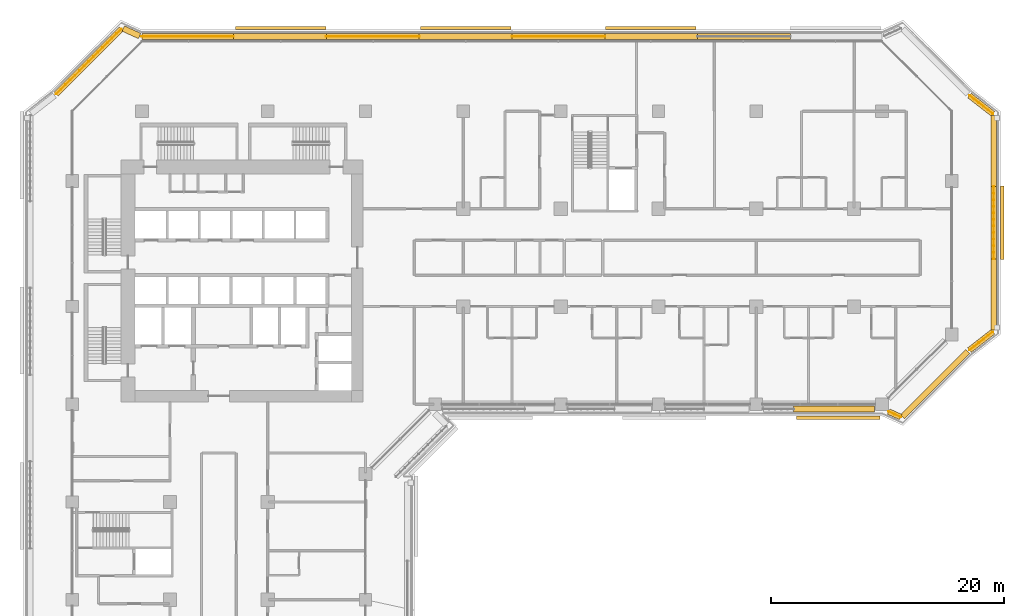
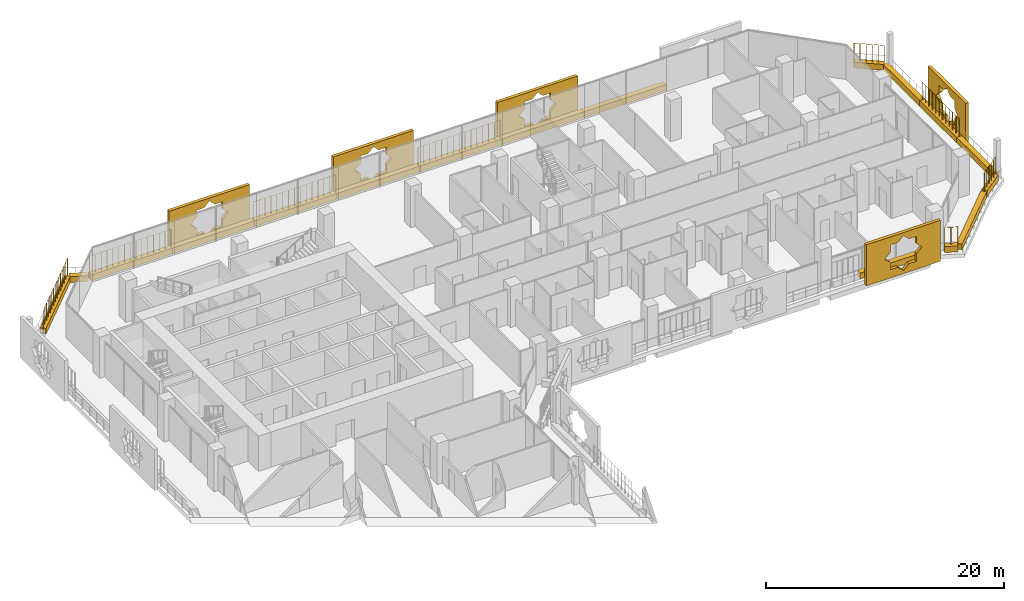
# One storey, part 24 of 25: 22 coverings, 8 railings.
"""IFC4 building model written with IfcOpenShell, lengths in metres."""

from ifc_helpers import new_model, si_unit, direction, frame, origin, origin_2d, place, context, subcontext, project, spatial, polyline, rectangle, circle, outline, extrude, material, material_profile, profile_set, type_object, element, save


model = new_model("IFC4")

# Units and contexts
model_context = context("Model", 3, precision=1e-05, world=origin(), true_north=direction((0.0, 1.0)))
body_context = subcontext(model_context, "Body", "Model", "MODEL_VIEW")
ifc_project = project(units=[si_unit("LENGTHUNIT", "METRE"), si_unit("AREAUNIT", "SQUARE_METRE"), si_unit("VOLUMEUNIT", "CUBIC_METRE"), si_unit("PLANEANGLEUNIT", "RADIAN"), si_unit("MASSUNIT", "GRAM", prefix="KILO")], contexts=[model_context])

# Site, building, storey
site_placement = place(None, origin())
site = spatial("IfcSite", under=ifc_project, at=site_placement, CompositionType="ELEMENT")
building_placement = place(site_placement, origin())
building = spatial("IfcBuilding", under=site, at=building_placement, Name="Kawkab Arch Medical Tower", CompositionType="ELEMENT")
storey_placement = place(building_placement, frame((0.0, 0.0, 140.800048828125)))
storey = spatial("IfcBuildingStorey", under=building, at=storey_placement, Name="L32", CompositionType="ELEMENT", Elevation=140.800048828125)

# Coverings
ifc_material_1 = material(Name="Bronze anodised aluminium mashrabiya panel, eight-point star pattern", Category="aluminium")
ifc_material_profile_1 = material_profile(ifc_material_1, outline(polyline([(-3.14990234375, -2.10009765625), (3.14990234375, -2.10009765625), (3.14990234375, 2.10009765625), (-3.14990234375, 2.10009765625), (-3.14990234375, -2.10009765625)]), holes=[polyline([(1.800048828125, 0.0), (1.272705078125, 0.527099609375), (1.272705078125, 1.272705078125), (0.527099609375, 1.272705078125), (0.0, 1.800048828125), (-0.527099609375, 1.272705078125), (-1.272705078125, 1.272705078125), (-1.272705078125, 0.527099609375), (-1.800048828125, 0.0), (-1.272705078125, -0.527099609375), (-1.272705078125, -1.272705078125), (-0.527099609375, -1.272705078125), (0.0, -1.800048828125), (0.527099609375, -1.272705078125), (1.272705078125, -1.272705078125), (1.272705078125, -0.527099609375), (1.800048828125, 0.0)])]), Name="Mashrabiya panel 6300x4200")
ifc_profile_set_1 = profile_set([ifc_material_profile_1], Name="Bronze anodised aluminium mashrabiya panel, eight-point star pattern")
covering_type_1 = type_object("IfcCoveringType", Name="Mashrabiya panel 6300 x 4200", PredefinedType="USERDEFINED", material=ifc_profile_set_1)
covering_1_placement = place(storey_placement, frame((79.800048828125, -9.60009765625, 1.699951171875), z_axis=(1.0, 0.0, 0.0), x_axis=(0.0, 1.0, 0.0)))
element("IfcCovering", 1, at=covering_1_placement, inside=storey, type_object=covering_type_1, Name="Mashrabiya panel L32.LOG-01-01.10", ObjectType="SCREEN", PredefinedType="USERDEFINED", context=body_context, shape_type="SweptSolid", body=[
    extrude(outline(polyline([(-3.14990234375, -2.10009765625), (3.14990234375, -2.10009765625), (3.14990234375, 2.10009765625), (-3.14990234375, 2.10009765625), (-3.14990234375, -2.10009765625)]), holes=[polyline([(1.800048828125, 0.0), (1.272705078125, 0.527099609375), (1.272705078125, 1.272705078125), (0.527099609375, 1.272705078125), (0.0, 1.800048828125), (-0.527099609375, 1.272705078125), (-1.272705078125, 1.272705078125), (-1.272705078125, 0.527099609375), (-1.800048828125, 0.0), (-1.272705078125, -0.527099609375), (-1.272705078125, -1.272705078125), (-0.527099609375, -1.272705078125), (0.0, -1.800048828125), (0.527099609375, -1.272705078125), (1.272705078125, -1.272705078125), (1.272705078125, -0.527099609375), (1.800048828125, 0.0)])]), origin(), (0.0, 0.0, 1.0), 0.300048828125),
])
ifc_material_2 = material(Name="Bronze anodised aluminium mashrabiya panel, eight-point star pattern", Category="aluminium")
ifc_material_profile_2 = material_profile(ifc_material_2, outline(polyline([(-3.60009765625, -2.10009765625), (3.60009765625, -2.10009765625), (3.60009765625, 2.10009765625), (-3.60009765625, 2.10009765625), (-3.60009765625, -2.10009765625)]), holes=[polyline([(1.800048828125, 0.0), (1.272705078125, 0.527099609375), (1.272705078125, 1.272705078125), (0.527099609375, 1.272705078125), (0.0, 1.800048828125), (-0.527099609375, 1.272705078125), (-1.272705078125, 1.272705078125), (-1.272705078125, 0.527099609375), (-1.800048828125, 0.0), (-1.272705078125, -0.527099609375), (-1.272705078125, -1.272705078125), (-0.527099609375, -1.272705078125), (0.0, -1.800048828125), (0.527099609375, -1.272705078125), (1.272705078125, -1.272705078125), (1.272705078125, -0.527099609375), (1.800048828125, 0.0)])]), Name="Mashrabiya panel 7200x4200")
ifc_profile_set_2 = profile_set([ifc_material_profile_2], Name="Bronze anodised aluminium mashrabiya panel, eight-point star pattern")
covering_type_2 = type_object("IfcCoveringType", Name="Mashrabiya panel 7200 x 4200", PredefinedType="USERDEFINED", material=ifc_profile_set_2)
covering_2_placement = place(storey_placement, frame((65.840087890625, -26.199951171875, 1.699951171875), z_axis=(0.0, -1.0, 0.0), x_axis=(1.0, 0.0, 0.0)))
element("IfcCovering", 2, at=covering_2_placement, inside=storey, type_object=covering_type_2, Name="Mashrabiya panel L32.LOG-01-01.11", ObjectType="SCREEN", PredefinedType="USERDEFINED", context=body_context, shape_type="SweptSolid", body=[
    extrude(outline(polyline([(-3.60009765625, -2.10009765625), (3.60009765625, -2.10009765625), (3.60009765625, 2.10009765625), (-3.60009765625, 2.10009765625), (-3.60009765625, -2.10009765625)]), holes=[polyline([(1.800048828125, 0.0), (1.272705078125, 0.527099609375), (1.272705078125, 1.272705078125), (0.527099609375, 1.272705078125), (0.0, 1.800048828125), (-0.527099609375, 1.272705078125), (-1.272705078125, 1.272705078125), (-1.272705078125, 0.527099609375), (-1.800048828125, 0.0), (-1.272705078125, -0.527099609375), (-1.272705078125, -1.272705078125), (-0.527099609375, -1.272705078125), (0.0, -1.800048828125), (0.527099609375, -1.272705078125), (1.272705078125, -1.272705078125), (1.272705078125, -0.527099609375), (1.800048828125, 0.0)])]), origin(), (0.0, 0.0, 1.0), 0.300048828125),
])
ifc_material_3 = material(Name="Bronze anodised aluminium mashrabiya panel, eight-point star pattern", Category="aluminium")
ifc_material_profile_3 = material_profile(ifc_material_3, outline(polyline([(-3.89990234375, -2.10009765625), (3.89990234375, -2.10009765625), (3.89990234375, 2.10009765625), (-3.89990234375, 2.10009765625), (-3.89990234375, -2.10009765625)]), holes=[polyline([(1.800048828125, 0.0), (1.272705078125, 0.527099609375), (1.272705078125, 1.272705078125), (0.527099609375, 1.272705078125), (0.0, 1.800048828125), (-0.527099609375, 1.272705078125), (-1.272705078125, 1.272705078125), (-1.272705078125, 0.527099609375), (-1.800048828125, 0.0), (-1.272705078125, -0.527099609375), (-1.272705078125, -1.272705078125), (-0.527099609375, -1.272705078125), (0.0, -1.800048828125), (0.527099609375, -1.272705078125), (1.272705078125, -1.272705078125), (1.272705078125, -0.527099609375), (1.800048828125, 0.0)])]), Name="Mashrabiya panel 7800x4200")
ifc_profile_set_3 = profile_set([ifc_material_profile_3], Name="Bronze anodised aluminium mashrabiya panel, eight-point star pattern")
covering_type_3 = type_object("IfcCoveringType", Name="Mashrabiya panel 7800 x 4200", PredefinedType="USERDEFINED", material=ifc_profile_set_3)
for number, where, z_axis, x_axis, name in (
    (3, (17.923583984375, 7.0, 1.699951171875), (0.0, 1.0, 0.0), (-1.0, 0.0, 0.0), "Mashrabiya panel L32.LOG-01-01.6"),
    (4, (33.82470703125, 7.0, 1.699951171875), (0.0, 1.0, 0.0), (-1.0, 0.0, 0.0), "Mashrabiya panel L32.LOG-01-01.7"),
    (5, (49.725830078125, 7.0, 1.699951171875), (0.0, 1.0, 0.0), (-1.0, 0.0, 0.0), "Mashrabiya panel L32.LOG-01-01.8"),
):
    element("IfcCovering", number, at=place(storey_placement, frame(where, z_axis=z_axis, x_axis=x_axis)), inside=storey, type_object=covering_type_3, Name=name, ObjectType="SCREEN", PredefinedType="USERDEFINED", context=body_context, shape_type="SweptSolid", body=[
        extrude(outline(polyline([(-3.89990234375, -2.10009765625), (3.89990234375, -2.10009765625), (3.89990234375, 2.10009765625), (-3.89990234375, 2.10009765625), (-3.89990234375, -2.10009765625)]), holes=[polyline([(1.800048828125, 0.0), (1.272705078125, 0.527099609375), (1.272705078125, 1.272705078125), (0.527099609375, 1.272705078125), (0.0, 1.800048828125), (-0.527099609375, 1.272705078125), (-1.272705078125, 1.272705078125), (-1.272705078125, 0.527099609375), (-1.800048828125, 0.0), (-1.272705078125, -0.527099609375), (-1.272705078125, -1.272705078125), (-0.527099609375, -1.272705078125), (0.0, -1.800048828125), (0.527099609375, -1.272705078125), (1.272705078125, -1.272705078125), (1.272705078125, -0.527099609375), (1.800048828125, 0.0)])]), origin(), (0.0, 0.0, 1.0), 0.300048828125),
    ])
ifc_material_4 = material(Name="Planting soil in a precast trough", Category="concrete")
ifc_material_profile_4 = material_profile(ifc_material_4, rectangle(XDim=0.5, YDim=0.60009765625, at=origin_2d()), Name="Trough 500x600")
ifc_profile_set_4 = profile_set([ifc_material_profile_4], Name="Planting soil in a precast trough")
covering_type_4 = type_object("IfcCoveringType", Name="Planter trough 500 x 600", PredefinedType="USERDEFINED", material=ifc_profile_set_4)
covering_3_placement = place(storey_placement, frame((-1.383056640625, 1.472900390625, 0.300048828125), z_axis=(0.707106781187, 0.707106781187, 0.0), x_axis=(-0.707106781187, 0.707106781187, 0.0)))
element("IfcCovering", 6, at=covering_3_placement, inside=storey, type_object=covering_type_4, Name="Planter L32.LOG-01-01.15", ObjectType="PLANTER", PredefinedType="USERDEFINED", context=body_context, shape_type="SweptSolid", body=[
    extrude(rectangle(XDim=0.5, YDim=0.60009765625, at=origin_2d()), origin(), (0.0, 0.0, 1.0), 7.919677734375),
])
covering_4_placement = place(storey_placement, frame((4.37890625, 7.10205078125, 0.300048828125), z_axis=(0.909655525109, -0.415363486165, 0.0), x_axis=(0.415363486165, 0.909655525109, 0.0)))
element("IfcCovering", 7, at=covering_4_placement, inside=storey, type_object=covering_type_4, Name="Planter L32.LOG-01-01.16", ObjectType="PLANTER", PredefinedType="USERDEFINED", context=body_context, shape_type="SweptSolid", body=[
    extrude(rectangle(XDim=0.5, YDim=0.60009765625, at=origin_2d()), origin(), (0.0, 0.0, 1.0), 1.54345703125),
])
covering_5_placement = place(storey_placement, frame((5.97412109375, 6.419921875, 0.300048828125), z_axis=(1.0, 0.0, 0.0), x_axis=(0.0, 1.0, 0.0)))
element("IfcCovering", 8, at=covering_5_placement, inside=storey, type_object=covering_type_4, Name="Planter L32.LOG-01-01.17", ObjectType="PLANTER", PredefinedType="USERDEFINED", context=body_context, shape_type="SweptSolid", body=[
    extrude(rectangle(XDim=0.5, YDim=0.60009765625, at=origin_2d()), origin(), (0.0, 0.0, 1.0), 7.8818359375),
])
covering_6_placement = place(storey_placement, frame((13.85595703125, 6.419921875, 0.300048828125), z_axis=(1.0, 0.0, 0.0), x_axis=(0.0, 1.0, 0.0)))
element("IfcCovering", 9, at=covering_6_placement, inside=storey, type_object=covering_type_4, Name="Planter L32.LOG-01-01.18", ObjectType="PLANTER", PredefinedType="USERDEFINED", context=body_context, shape_type="SweptSolid", body=[
    extrude(rectangle(XDim=0.5, YDim=0.60009765625, at=origin_2d()), origin(), (0.0, 0.0, 1.0), 7.98095703125),
])
covering_7_placement = place(storey_placement, frame((21.8369140625, 6.419921875, 0.300048828125), z_axis=(1.0, 0.0, 0.0), x_axis=(0.0, 1.0, 0.0)))
element("IfcCovering", 10, at=covering_7_placement, inside=storey, type_object=covering_type_4, Name="Planter L32.LOG-01-01.19", ObjectType="PLANTER", PredefinedType="USERDEFINED", context=body_context, shape_type="SweptSolid", body=[
    extrude(rectangle(XDim=0.5, YDim=0.60009765625, at=origin_2d()), origin(), (0.0, 0.0, 1.0), 7.982177734375),
])
for number, where, z_axis, x_axis, name in (
    (11, (29.819091796875, 6.419921875, 0.300048828125), (1.0, 0.0, 0.0), (0.0, 1.0, 0.0), "Planter L32.LOG-01-01.20"),
    (12, (37.800048828125, 6.419921875, 0.300048828125), (1.0, 0.0, 0.0), (0.0, 1.0, 0.0), "Planter L32.LOG-01-01.21"),
):
    element("IfcCovering", number, at=place(storey_placement, frame(where, z_axis=z_axis, x_axis=x_axis)), inside=storey, type_object=covering_type_4, Name=name, ObjectType="PLANTER", PredefinedType="USERDEFINED", context=body_context, shape_type="SweptSolid", body=[
        extrude(rectangle(XDim=0.5, YDim=0.60009765625, at=origin_2d()), origin(), (0.0, 0.0, 1.0), 7.98095703125),
    ])
covering_8_placement = place(storey_placement, frame((45.781005859375, 6.419921875, 0.300048828125), z_axis=(1.0, 0.0, 0.0), x_axis=(0.0, 1.0, 0.0)))
element("IfcCovering", 13, at=covering_8_placement, inside=storey, type_object=covering_type_4, Name="Planter L32.LOG-01-01.22", ObjectType="PLANTER", PredefinedType="USERDEFINED", context=body_context, shape_type="SweptSolid", body=[
    extrude(rectangle(XDim=0.5, YDim=0.60009765625, at=origin_2d()), origin(), (0.0, 0.0, 1.0), 7.98193359375),
])
covering_9_placement = place(storey_placement, frame((53.762939453125, 6.419921875, 0.300048828125), z_axis=(1.0, 0.0, 0.0), x_axis=(0.0, 1.0, 0.0)))
element("IfcCovering", 14, at=covering_9_placement, inside=storey, type_object=covering_type_4, Name="Planter L32.LOG-01-01.23", ObjectType="PLANTER", PredefinedType="USERDEFINED", context=body_context, shape_type="SweptSolid", body=[
    extrude(rectangle(XDim=0.5, YDim=0.60009765625, at=origin_2d()), origin(), (0.0, 0.0, 1.0), 7.98095703125),
])
covering_10_placement = place(storey_placement, frame((77.132080078125, 1.341064453125, 0.300048828125), z_axis=(0.789274742246, -0.61404021143, 0.0), x_axis=(0.61404021143, 0.789274742246, 0.0)))
element("IfcCovering", 15, at=covering_10_placement, inside=storey, type_object=covering_type_4, Name="Planter L32.LOG-01-01.27", ObjectType="PLANTER", PredefinedType="USERDEFINED", context=body_context, shape_type="SweptSolid", body=[
    extrude(rectangle(XDim=0.5, YDim=0.60009765625, at=origin_2d()), origin(), (0.0, 0.0, 1.0), 2.54541015625),
])
covering_11_placement = place(storey_placement, frame((79.219970703125, -0.384033203125, 0.300048828125), z_axis=(0.0, -1.0, 0.0), x_axis=(1.0, 0.0, 0.0)))
element("IfcCovering", 16, at=covering_11_placement, inside=storey, type_object=covering_type_4, Name="Planter L32.LOG-01-01.28", ObjectType="PLANTER", PredefinedType="USERDEFINED", context=body_context, shape_type="SweptSolid", body=[
    extrude(rectangle(XDim=0.5, YDim=0.60009765625, at=origin_2d()), origin(), (0.0, 0.0, 1.0), 6.111083984375),
])
covering_12_placement = place(storey_placement, frame((79.219970703125, -6.4951171875, 0.300048828125), z_axis=(0.0, -1.0, 0.0), x_axis=(1.0, 0.0, 0.0)))
element("IfcCovering", 17, at=covering_12_placement, inside=storey, type_object=covering_type_4, Name="Planter L32.LOG-01-01.29", ObjectType="PLANTER", PredefinedType="USERDEFINED", context=body_context, shape_type="SweptSolid", body=[
    extrude(rectangle(XDim=0.5, YDim=0.60009765625, at=origin_2d()), origin(), (0.0, 0.0, 1.0), 6.2099609375),
])
covering_13_placement = place(storey_placement, frame((79.219970703125, -12.705078125, 0.300048828125), z_axis=(0.0, -1.0, 0.0), x_axis=(1.0, 0.0, 0.0)))
element("IfcCovering", 18, at=covering_13_placement, inside=storey, type_object=covering_type_4, Name="Planter L32.LOG-01-01.30", ObjectType="PLANTER", PredefinedType="USERDEFINED", context=body_context, shape_type="SweptSolid", body=[
    extrude(rectangle(XDim=0.5, YDim=0.60009765625, at=origin_2d()), origin(), (0.0, 0.0, 1.0), 6.11083984375),
])
covering_14_placement = place(storey_placement, frame((79.14111328125, -18.97802734375, 0.300048828125), z_axis=(-0.789274742246, -0.61404021143, 0.0), x_axis=(0.61404021143, -0.789274742246, 0.0)))
element("IfcCovering", 19, at=covering_14_placement, inside=storey, type_object=covering_type_4, Name="Planter L32.LOG-01-01.31", ObjectType="PLANTER", PredefinedType="USERDEFINED", context=body_context, shape_type="SweptSolid", body=[
    extrude(rectangle(XDim=0.5, YDim=0.60009765625, at=origin_2d()), origin(), (0.0, 0.0, 1.0), 2.54541015625),
])
covering_15_placement = place(storey_placement, frame((76.98291015625, -20.673095703125, 0.300048828125), z_axis=(-0.707106781187, -0.707106781187, 0.0), x_axis=(0.707106781187, -0.707106781187, 0.0)))
element("IfcCovering", 20, at=covering_15_placement, inside=storey, type_object=covering_type_4, Name="Planter L32.LOG-01-01.32", ObjectType="PLANTER", PredefinedType="USERDEFINED", context=body_context, shape_type="SweptSolid", body=[
    extrude(rectangle(XDim=0.5, YDim=0.60009765625, at=origin_2d()), origin(), (0.0, 0.0, 1.0), 7.91943359375),
])
covering_16_placement = place(storey_placement, frame((71.220947265625, -26.302001953125, 0.300048828125), z_axis=(-0.90986596287, 0.414902313335, 0.0), x_axis=(-0.414902313335, -0.90986596287, 0.0)))
element("IfcCovering", 21, at=covering_16_placement, inside=storey, type_object=covering_type_4, Name="Planter L32.LOG-01-01.33", ObjectType="PLANTER", PredefinedType="USERDEFINED", context=body_context, shape_type="SweptSolid", body=[
    extrude(rectangle(XDim=0.5, YDim=0.60009765625, at=origin_2d()), origin(), (0.0, 0.0, 1.0), 1.137451171875),
])
covering_17_placement = place(storey_placement, frame((68.969970703125, -25.6201171875, 0.300048828125), z_axis=(-1.0, 0.0, 0.0), x_axis=(0.0, -1.0, 0.0)))
element("IfcCovering", 22, at=covering_17_placement, inside=storey, type_object=covering_type_4, Name="Planter L32.LOG-01-01.34", ObjectType="PLANTER", PredefinedType="USERDEFINED", context=body_context, shape_type="SweptSolid", body=[
    extrude(rectangle(XDim=0.5, YDim=0.60009765625, at=origin_2d()), origin(), (0.0, 0.0, 1.0), 6.951904296875),
])

# Railings
ifc_material_5 = material(Name="Bronze anodised aluminium trellis for climbing plants", Category="aluminium")
railing_type = type_object("IfcRailingType", Name="Planting trellis 2400", PredefinedType="USERDEFINED", material=ifc_material_5)
railing_1_placement = place(storey_placement, frame((-1.383056640625, 1.472900390625, 0.0)))
element("IfcRailing", 23, at=railing_1_placement, inside=storey, type_object=railing_type, Name="Planting trellis L32.LOG-01-01.15", ObjectType="TRELLIS", PredefinedType="USERDEFINED", context=body_context, shape_type="SweptSolid", body=[
    extrude(circle(Radius=0.01513671875, at=origin_2d()), frame((0.0, 0.0, 2.384765625), z_axis=(0.707106781187, 0.707106781187, 0.0), x_axis=(-0.707106781187, 0.707106781187, 0.0)), (0.0, 0.0, 1.0), 7.919677734375),
    extrude(circle(Radius=0.030029296875, at=origin_2d()), origin(), (0.0, 0.0, 1.0), 2.369873046875),
    extrude(circle(Radius=0.030029296875, at=origin_2d()), frame((0.39990234375, 0.39990234375, 0.0)), (0.0, 0.0, 1.0), 2.369873046875),
    extrude(circle(Radius=0.030029296875, at=origin_2d()), frame((0.800048828125, 0.800048828125, 0.0)), (0.0, 0.0, 1.0), 2.369873046875),
    extrude(circle(Radius=0.030029296875, at=origin_2d()), frame((1.199951171875, 1.199951171875, 0.0)), (0.0, 0.0, 1.0), 2.369873046875),
    extrude(circle(Radius=0.030029296875, at=origin_2d()), frame((1.60009765625, 1.60009765625, 0.0)), (0.0, 0.0, 1.0), 2.369873046875),
    extrude(circle(Radius=0.030029296875, at=origin_2d()), frame((2.0, 2.0, 0.0)), (0.0, 0.0, 1.0), 2.369873046875),
    extrude(circle(Radius=0.030029296875, at=origin_2d()), frame((2.400146484375, 2.400146484375, 0.0)), (0.0, 0.0, 1.0), 2.369873046875),
    extrude(circle(Radius=0.030029296875, at=origin_2d()), frame((2.800048828125, 2.800048828125, 0.0)), (0.0, 0.0, 1.0), 2.369873046875),
    extrude(circle(Radius=0.030029296875, at=origin_2d()), frame((3.199951171875, 3.199951171875, 0.0)), (0.0, 0.0, 1.0), 2.369873046875),
    extrude(circle(Radius=0.030029296875, at=origin_2d()), frame((3.60009765625, 3.60009765625, 0.0)), (0.0, 0.0, 1.0), 2.369873046875),
    extrude(circle(Radius=0.030029296875, at=origin_2d()), frame((4.0, 4.0, 0.0)), (0.0, 0.0, 1.0), 2.369873046875),
    extrude(circle(Radius=0.030029296875, at=origin_2d()), frame((4.400146484375, 4.400146484375, 0.0)), (0.0, 0.0, 1.0), 2.369873046875),
    extrude(circle(Radius=0.030029296875, at=origin_2d()), frame((4.800048828125, 4.800048828125, 0.0)), (0.0, 0.0, 1.0), 2.369873046875),
    extrude(circle(Radius=0.030029296875, at=origin_2d()), frame((5.2001953125, 5.2001953125, 0.0)), (0.0, 0.0, 1.0), 2.369873046875),
    extrude(circle(Radius=0.030029296875, at=origin_2d()), frame((5.60009765625, 5.60009765625, 0.0)), (0.0, 0.0, 1.0), 2.369873046875),
])
railing_2_placement = place(storey_placement, frame((5.97412109375, 6.419921875, 0.0)))
element("IfcRailing", 24, at=railing_2_placement, inside=storey, type_object=railing_type, Name="Planting trellis L32.LOG-01-01.17", ObjectType="TRELLIS", PredefinedType="USERDEFINED", context=body_context, shape_type="SweptSolid", body=[
    extrude(circle(Radius=0.01513671875, at=origin_2d()), frame((0.0, 0.0, 2.384765625), z_axis=(1.0, 0.0, 0.0), x_axis=(0.0, 1.0, 0.0)), (0.0, 0.0, 1.0), 7.8818359375),
    extrude(circle(Radius=0.030029296875, at=origin_2d()), origin(), (0.0, 0.0, 1.0), 2.369873046875),
    extrude(circle(Radius=0.030029296875, at=origin_2d()), frame((0.56298828125, 0.0, 0.0)), (0.0, 0.0, 1.0), 2.369873046875),
    extrude(circle(Radius=0.030029296875, at=origin_2d()), frame((1.1259765625, 0.0, 0.0)), (0.0, 0.0, 1.0), 2.369873046875),
    extrude(circle(Radius=0.030029296875, at=origin_2d()), frame((1.68896484375, 0.0, 0.0)), (0.0, 0.0, 1.0), 2.369873046875),
    extrude(circle(Radius=0.030029296875, at=origin_2d()), frame((2.251953125, 0.0, 0.0)), (0.0, 0.0, 1.0), 2.369873046875),
    extrude(circle(Radius=0.030029296875, at=origin_2d()), frame((2.81494140625, 0.0, 0.0)), (0.0, 0.0, 1.0), 2.369873046875),
    extrude(circle(Radius=0.030029296875, at=origin_2d()), frame((3.3779296875, 0.0, 0.0)), (0.0, 0.0, 1.0), 2.369873046875),
    extrude(circle(Radius=0.030029296875, at=origin_2d()), frame((3.94091796875, 0.0, 0.0)), (0.0, 0.0, 1.0), 2.369873046875),
    extrude(circle(Radius=0.030029296875, at=origin_2d()), frame((4.50390625, 0.0, 0.0)), (0.0, 0.0, 1.0), 2.369873046875),
    extrude(circle(Radius=0.030029296875, at=origin_2d()), frame((5.06689453125, 0.0, 0.0)), (0.0, 0.0, 1.0), 2.369873046875),
    extrude(circle(Radius=0.030029296875, at=origin_2d()), frame((5.6298828125, 0.0, 0.0)), (0.0, 0.0, 1.0), 2.369873046875),
    extrude(circle(Radius=0.030029296875, at=origin_2d()), frame((6.19287109375, 0.0, 0.0)), (0.0, 0.0, 1.0), 2.369873046875),
    extrude(circle(Radius=0.030029296875, at=origin_2d()), frame((6.755859375, 0.0, 0.0)), (0.0, 0.0, 1.0), 2.369873046875),
    extrude(circle(Radius=0.030029296875, at=origin_2d()), frame((7.31884765625, 0.0, 0.0)), (0.0, 0.0, 1.0), 2.369873046875),
    extrude(circle(Radius=0.030029296875, at=origin_2d()), frame((7.8818359375, 0.0, 0.0)), (0.0, 0.0, 1.0), 2.369873046875),
])
railing_3_placement = place(storey_placement, frame((21.8369140625, 6.419921875, 0.0)))
element("IfcRailing", 25, at=railing_3_placement, inside=storey, type_object=railing_type, Name="Planting trellis L32.LOG-01-01.19", ObjectType="TRELLIS", PredefinedType="USERDEFINED", context=body_context, shape_type="SweptSolid", body=[
    extrude(circle(Radius=0.01513671875, at=origin_2d()), frame((0.0, 0.0, 2.384765625), z_axis=(1.0, 0.0, 0.0), x_axis=(0.0, 1.0, 0.0)), (0.0, 0.0, 1.0), 7.982177734375),
    extrude(circle(Radius=0.030029296875, at=origin_2d()), origin(), (0.0, 0.0, 1.0), 2.369873046875),
    extrude(circle(Radius=0.030029296875, at=origin_2d()), frame((0.570068359375, 0.0, 0.0)), (0.0, 0.0, 1.0), 2.369873046875),
    extrude(circle(Radius=0.030029296875, at=origin_2d()), frame((1.140380859375, 0.0, 0.0)), (0.0, 0.0, 1.0), 2.369873046875),
    extrude(circle(Radius=0.030029296875, at=origin_2d()), frame((1.71044921875, 0.0, 0.0)), (0.0, 0.0, 1.0), 2.369873046875),
    extrude(circle(Radius=0.030029296875, at=origin_2d()), frame((2.280517578125, 0.0, 0.0)), (0.0, 0.0, 1.0), 2.369873046875),
    extrude(circle(Radius=0.030029296875, at=origin_2d()), frame((2.850830078125, 0.0, 0.0)), (0.0, 0.0, 1.0), 2.369873046875),
    extrude(circle(Radius=0.030029296875, at=origin_2d()), frame((3.4208984375, 0.0, 0.0)), (0.0, 0.0, 1.0), 2.369873046875),
    extrude(circle(Radius=0.030029296875, at=origin_2d()), frame((3.9912109375, 0.0, 0.0)), (0.0, 0.0, 1.0), 2.369873046875),
    extrude(circle(Radius=0.030029296875, at=origin_2d()), frame((4.561279296875, 0.0, 0.0)), (0.0, 0.0, 1.0), 2.369873046875),
    extrude(circle(Radius=0.030029296875, at=origin_2d()), frame((5.13134765625, 0.0, 0.0)), (0.0, 0.0, 1.0), 2.369873046875),
    extrude(circle(Radius=0.030029296875, at=origin_2d()), frame((5.70166015625, 0.0, 0.0)), (0.0, 0.0, 1.0), 2.369873046875),
    extrude(circle(Radius=0.030029296875, at=origin_2d()), frame((6.271728515625, 0.0, 0.0)), (0.0, 0.0, 1.0), 2.369873046875),
    extrude(circle(Radius=0.030029296875, at=origin_2d()), frame((6.841796875, 0.0, 0.0)), (0.0, 0.0, 1.0), 2.369873046875),
    extrude(circle(Radius=0.030029296875, at=origin_2d()), frame((7.412109375, 0.0, 0.0)), (0.0, 0.0, 1.0), 2.369873046875),
    extrude(circle(Radius=0.030029296875, at=origin_2d()), frame((7.982177734375, 0.0, 0.0)), (0.0, 0.0, 1.0), 2.369873046875),
])
railing_4_placement = place(storey_placement, frame((37.800048828125, 6.419921875, 0.0)))
element("IfcRailing", 26, at=railing_4_placement, inside=storey, type_object=railing_type, Name="Planting trellis L32.LOG-01-01.21", ObjectType="TRELLIS", PredefinedType="USERDEFINED", context=body_context, shape_type="SweptSolid", body=[
    extrude(circle(Radius=0.01513671875, at=origin_2d()), frame((0.0, 0.0, 2.384765625), z_axis=(1.0, 0.0, 0.0), x_axis=(0.0, 1.0, 0.0)), (0.0, 0.0, 1.0), 7.98095703125),
    extrude(circle(Radius=0.030029296875, at=origin_2d()), origin(), (0.0, 0.0, 1.0), 2.369873046875),
    extrude(circle(Radius=0.030029296875, at=origin_2d()), frame((0.570068359375, 0.0, 0.0)), (0.0, 0.0, 1.0), 2.369873046875),
    extrude(circle(Radius=0.030029296875, at=origin_2d()), frame((1.14013671875, 0.0, 0.0)), (0.0, 0.0, 1.0), 2.369873046875),
    extrude(circle(Radius=0.030029296875, at=origin_2d()), frame((1.710205078125, 0.0, 0.0)), (0.0, 0.0, 1.0), 2.369873046875),
    extrude(circle(Radius=0.030029296875, at=origin_2d()), frame((2.2802734375, 0.0, 0.0)), (0.0, 0.0, 1.0), 2.369873046875),
    extrude(circle(Radius=0.030029296875, at=origin_2d()), frame((2.850341796875, 0.0, 0.0)), (0.0, 0.0, 1.0), 2.369873046875),
    extrude(circle(Radius=0.030029296875, at=origin_2d()), frame((3.42041015625, 0.0, 0.0)), (0.0, 0.0, 1.0), 2.369873046875),
    extrude(circle(Radius=0.030029296875, at=origin_2d()), frame((3.990478515625, 0.0, 0.0)), (0.0, 0.0, 1.0), 2.369873046875),
    extrude(circle(Radius=0.030029296875, at=origin_2d()), frame((4.560546875, 0.0, 0.0)), (0.0, 0.0, 1.0), 2.369873046875),
    extrude(circle(Radius=0.030029296875, at=origin_2d()), frame((5.130615234375, 0.0, 0.0)), (0.0, 0.0, 1.0), 2.369873046875),
    extrude(circle(Radius=0.030029296875, at=origin_2d()), frame((5.70068359375, 0.0, 0.0)), (0.0, 0.0, 1.0), 2.369873046875),
    extrude(circle(Radius=0.030029296875, at=origin_2d()), frame((6.270751953125, 0.0, 0.0)), (0.0, 0.0, 1.0), 2.369873046875),
    extrude(circle(Radius=0.030029296875, at=origin_2d()), frame((6.8408203125, 0.0, 0.0)), (0.0, 0.0, 1.0), 2.369873046875),
    extrude(circle(Radius=0.030029296875, at=origin_2d()), frame((7.410888671875, 0.0, 0.0)), (0.0, 0.0, 1.0), 2.369873046875),
    extrude(circle(Radius=0.030029296875, at=origin_2d()), frame((7.98095703125, 0.0, 0.0)), (0.0, 0.0, 1.0), 2.369873046875),
])
railing_5_placement = place(storey_placement, frame((77.132080078125, 1.341064453125, 0.0)))
element("IfcRailing", 27, at=railing_5_placement, inside=storey, type_object=railing_type, Name="Planting trellis L32.LOG-01-01.27", ObjectType="TRELLIS", PredefinedType="USERDEFINED", context=body_context, shape_type="SweptSolid", body=[
    extrude(circle(Radius=0.01513671875, at=origin_2d()), frame((0.0, 0.0, 2.384765625), z_axis=(0.789274742246, -0.61404021143, 0.0), x_axis=(0.61404021143, 0.789274742246, 0.0)), (0.0, 0.0, 1.0), 2.54541015625),
    extrude(circle(Radius=0.030029296875, at=origin_2d()), origin(), (0.0, 0.0, 1.0), 2.369873046875),
    extrude(circle(Radius=0.030029296875, at=origin_2d()), frame((0.40185546875, -0.3125, 0.0)), (0.0, 0.0, 1.0), 2.369873046875),
    extrude(circle(Radius=0.030029296875, at=origin_2d()), frame((0.8037109375, -0.625244140625, 0.0)), (0.0, 0.0, 1.0), 2.369873046875),
    extrude(circle(Radius=0.030029296875, at=origin_2d()), frame((1.205322265625, -0.937744140625, 0.0)), (0.0, 0.0, 1.0), 2.369873046875),
    extrude(circle(Radius=0.030029296875, at=origin_2d()), frame((1.607177734375, -1.25048828125, 0.0)), (0.0, 0.0, 1.0), 2.369873046875),
    extrude(circle(Radius=0.030029296875, at=origin_2d()), frame((2.009033203125, -1.56298828125, 0.0)), (0.0, 0.0, 1.0), 2.369873046875),
])
railing_6_placement = place(storey_placement, frame((79.219970703125, -6.4951171875, 0.0)))
element("IfcRailing", 28, at=railing_6_placement, inside=storey, type_object=railing_type, Name="Planting trellis L32.LOG-01-01.29", ObjectType="TRELLIS", PredefinedType="USERDEFINED", context=body_context, shape_type="SweptSolid", body=[
    extrude(circle(Radius=0.01513671875, at=origin_2d()), frame((0.0, 0.0, 2.384765625), z_axis=(0.0, -1.0, 0.0), x_axis=(1.0, 0.0, 0.0)), (0.0, 0.0, 1.0), 6.2099609375),
    extrude(circle(Radius=0.030029296875, at=origin_2d()), origin(), (0.0, 0.0, 1.0), 2.369873046875),
    extrude(circle(Radius=0.030029296875, at=origin_2d()), frame((0.0, -0.564453125, 0.0)), (0.0, 0.0, 1.0), 2.369873046875),
    extrude(circle(Radius=0.030029296875, at=origin_2d()), frame((0.0, -1.129150390625, 0.0)), (0.0, 0.0, 1.0), 2.369873046875),
    extrude(circle(Radius=0.030029296875, at=origin_2d()), frame((0.0, -1.693603515625, 0.0)), (0.0, 0.0, 1.0), 2.369873046875),
    extrude(circle(Radius=0.030029296875, at=origin_2d()), frame((0.0, -2.258056640625, 0.0)), (0.0, 0.0, 1.0), 2.369873046875),
    extrude(circle(Radius=0.030029296875, at=origin_2d()), frame((0.0, -2.82275390625, 0.0)), (0.0, 0.0, 1.0), 2.369873046875),
    extrude(circle(Radius=0.030029296875, at=origin_2d()), frame((0.0, -3.38720703125, 0.0)), (0.0, 0.0, 1.0), 2.369873046875),
    extrude(circle(Radius=0.030029296875, at=origin_2d()), frame((0.0, -3.951904296875, 0.0)), (0.0, 0.0, 1.0), 2.369873046875),
    extrude(circle(Radius=0.030029296875, at=origin_2d()), frame((0.0, -4.516357421875, 0.0)), (0.0, 0.0, 1.0), 2.369873046875),
    extrude(circle(Radius=0.030029296875, at=origin_2d()), frame((0.0, -5.080810546875, 0.0)), (0.0, 0.0, 1.0), 2.369873046875),
    extrude(circle(Radius=0.030029296875, at=origin_2d()), frame((0.0, -5.6455078125, 0.0)), (0.0, 0.0, 1.0), 2.369873046875),
    extrude(circle(Radius=0.030029296875, at=origin_2d()), frame((0.0, -6.2099609375, 0.0)), (0.0, 0.0, 1.0), 2.369873046875),
])
railing_7_placement = place(storey_placement, frame((79.14111328125, -18.97802734375, 0.0)))
element("IfcRailing", 29, at=railing_7_placement, inside=storey, type_object=railing_type, Name="Planting trellis L32.LOG-01-01.31", ObjectType="TRELLIS", PredefinedType="USERDEFINED", context=body_context, shape_type="SweptSolid", body=[
    extrude(circle(Radius=0.01513671875, at=origin_2d()), frame((0.0, 0.0, 2.384765625), z_axis=(-0.789274742246, -0.61404021143, 0.0), x_axis=(0.61404021143, -0.789274742246, 0.0)), (0.0, 0.0, 1.0), 2.54541015625),
    extrude(circle(Radius=0.030029296875, at=origin_2d()), origin(), (0.0, 0.0, 1.0), 2.369873046875),
    extrude(circle(Radius=0.030029296875, at=origin_2d()), frame((-0.40185546875, -0.3125, 0.0)), (0.0, 0.0, 1.0), 2.369873046875),
    extrude(circle(Radius=0.030029296875, at=origin_2d()), frame((-0.8037109375, -0.625244140625, 0.0)), (0.0, 0.0, 1.0), 2.369873046875),
    extrude(circle(Radius=0.030029296875, at=origin_2d()), frame((-1.205322265625, -0.937744140625, 0.0)), (0.0, 0.0, 1.0), 2.369873046875),
    extrude(circle(Radius=0.030029296875, at=origin_2d()), frame((-1.607177734375, -1.25048828125, 0.0)), (0.0, 0.0, 1.0), 2.369873046875),
    extrude(circle(Radius=0.030029296875, at=origin_2d()), frame((-2.009033203125, -1.56298828125, 0.0)), (0.0, 0.0, 1.0), 2.369873046875),
])
railing_8_placement = place(storey_placement, frame((71.220947265625, -26.302001953125, 0.0)))
element("IfcRailing", 30, at=railing_8_placement, inside=storey, type_object=railing_type, Name="Planting trellis L32.LOG-01-01.33", ObjectType="TRELLIS", PredefinedType="USERDEFINED", context=body_context, shape_type="SweptSolid", body=[
    extrude(circle(Radius=0.01513671875, at=origin_2d()), frame((0.0, 0.0, 2.384765625), z_axis=(-0.90986596287, 0.414902313335, 0.0), x_axis=(-0.414902313335, -0.90986596287, 0.0)), (0.0, 0.0, 1.0), 1.137451171875),
    extrude(circle(Radius=0.030029296875, at=origin_2d()), origin(), (0.0, 0.0, 1.0), 2.369873046875),
    extrude(circle(Radius=0.030029296875, at=origin_2d()), frame((-0.517578125, 0.23583984375, 0.0)), (0.0, 0.0, 1.0), 2.369873046875),
    extrude(circle(Radius=0.030029296875, at=origin_2d()), frame((-1.034912109375, 0.471923828125, 0.0)), (0.0, 0.0, 1.0), 2.369873046875),
])

save(model, "model.ifc")
